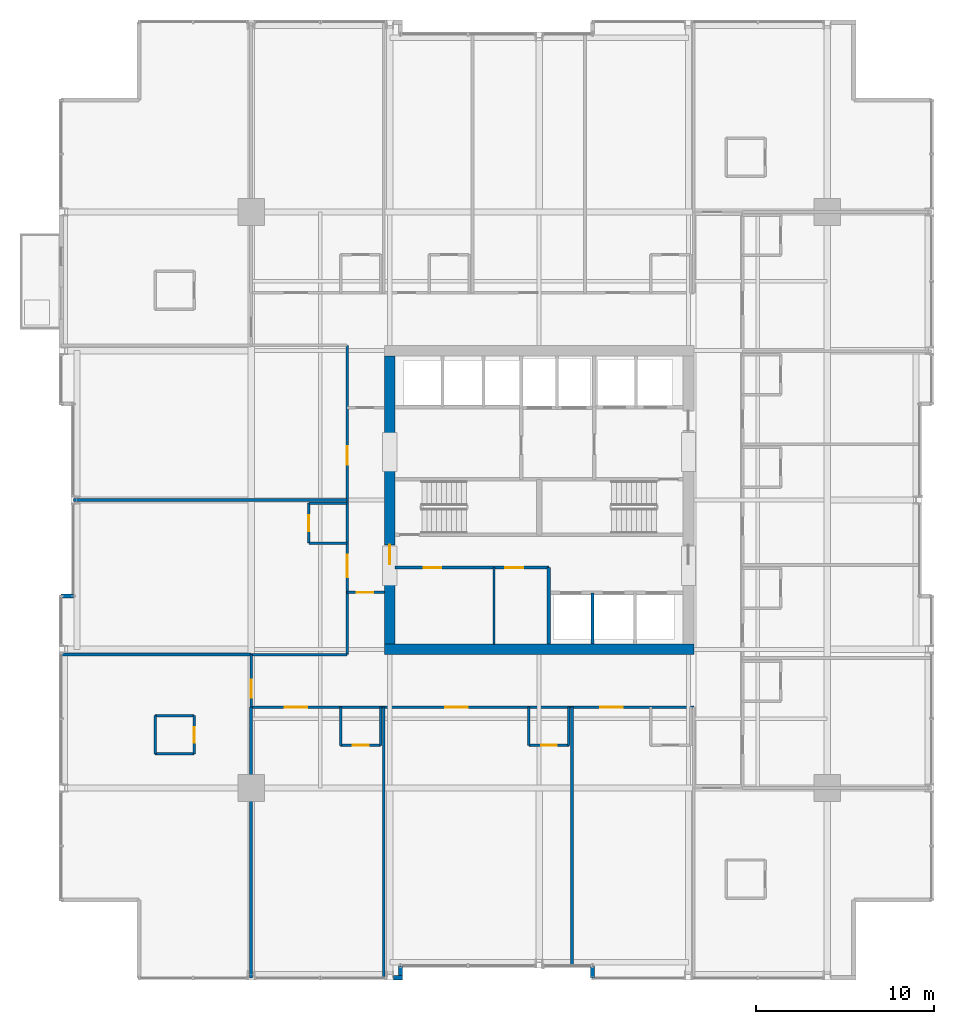
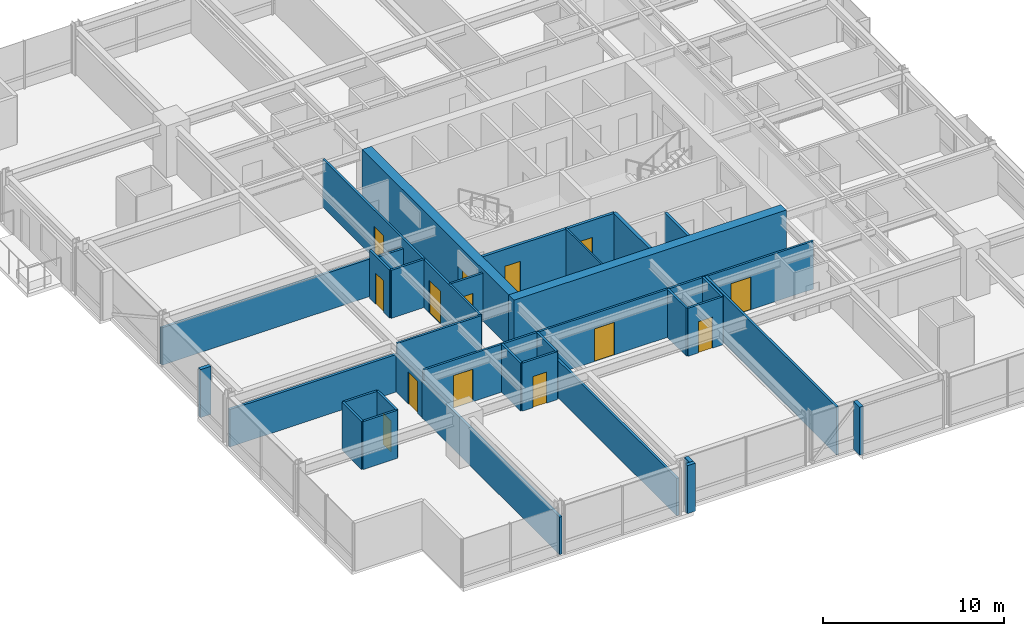
# One storey, part 28 of 35: 33 walls, 14 doors, 14 openings.
"""IFC4 building model written with IfcOpenShell, lengths in metres."""

import ifcopenshell
import ifcopenshell.guid

model = None  # the IFC model being written
_history = None  # IfcOwnerHistory: only IFC2X3 demands one
_inside = {}  # id of a spatial element -> (the spatial element, [elements in it])
_under = {}  # id of a project, library or spatial element -> (it, [spatial elements below it])
_declared = {}  # id of a project -> (the project, [libraries it declares])
_typed = {}  # id of a type object -> (the type object, [elements of that type])
_made_of = {}  # id of a material, layer set ... -> (it, [elements and type objects made of it])


def new_model(schema):
    """Start an empty IFC model of exactly this schema.

    Asked for "IFC4X3", IfcOpenShell would pick the latest addendum, in which some entities
    have other attributes; the version numbers below select the first issue.
    IFC2X3 requires an IfcOwnerHistory on every rooted entity: one is made here for all.
    """
    global model, _history
    if schema == "IFC4X3":
        model = ifcopenshell.file(schema_version=(4, 3, 0, 0))
    else:
        model = ifcopenshell.file(schema=schema)
    _inside.clear()
    _under.clear()
    _declared.clear()
    _typed.clear()
    _made_of.clear()
    _history = None
    if model.schema == "IFC2X3":
        org = make("IfcOrganization", Name="unknown")
        user = make(
            "IfcPersonAndOrganization",
            ThePerson=make("IfcPerson", FamilyName="unknown"),
            TheOrganization=org,
        )
        app = make(
            "IfcApplication",
            ApplicationDeveloper=org,
            Version="unknown",
            ApplicationFullName="unknown",
            ApplicationIdentifier="unknown",
        )
        _history = make(
            "IfcOwnerHistory",
            OwningUser=user,
            OwningApplication=app,
            ChangeAction="ADDED",
            CreationDate=0,
        )
    return model


def make(cls, **values):
    """One entity of the class cls with the attributes given. An attribute that is None is left unset."""
    return model.create_entity(
        cls, **{name: value for name, value in values.items() if value is not None}
    )


def rooted(cls, **values):
    """An entity with a GlobalId (a new one), such as an element, a storey or a relation."""
    return make(cls, GlobalId=ifcopenshell.guid.new(), OwnerHistory=_history, **values)


def si_unit(unit_type, name, prefix=None):
    """IfcSIUnit, for example si_unit("LENGTHUNIT", "METRE", prefix="MILLI")."""
    return make("IfcSIUnit", UnitType=unit_type, Prefix=prefix, Name=name)


def assignment(units):
    """IfcUnitAssignment: the units of a project."""
    return None if units is None else make("IfcUnitAssignment", Units=units)


def point(xyz):
    """IfcCartesianPoint."""
    return None if xyz is None else make("IfcCartesianPoint", Coordinates=xyz)


def direction(xyz):
    """IfcDirection."""
    return None if xyz is None else make("IfcDirection", DirectionRatios=xyz)


def frame(location, z_axis=None, x_axis=None):
    """IfcAxis2Placement3D, a coordinate frame: its origin and axes. An axis left out is left unset."""
    return make(
        "IfcAxis2Placement3D",
        Location=point(location),
        Axis=direction(z_axis),
        RefDirection=direction(x_axis),
    )


def frame_2d(location, x_axis=None):
    """IfcAxis2Placement2D, a coordinate frame in the plane: its origin and x axis."""
    return make(
        "IfcAxis2Placement2D", Location=point(location), RefDirection=direction(x_axis)
    )


def origin():
    """The frame at (0, 0, 0) with its axes left unset."""
    return frame((0.0, 0.0, 0.0))


def place(relative_to, where):
    """IfcLocalPlacement: puts the frame where relative to a parent placement (None: the world)."""
    return make(
        "IfcLocalPlacement", PlacementRelTo=relative_to, RelativePlacement=where
    )


def context(
    kind, dimensions, precision=None, world=None, true_north=None, identifier=None
):
    """IfcGeometricRepresentationContext, for example the 3D "Model" context."""
    return make(
        "IfcGeometricRepresentationContext",
        ContextIdentifier=identifier,
        ContextType=kind,
        CoordinateSpaceDimension=dimensions,
        Precision=precision,
        WorldCoordinateSystem=world,
        TrueNorth=true_north,
    )


def subcontext(parent, identifier, kind, view, scale=None):
    """IfcGeometricRepresentationSubContext, for example "Body" below "Model"."""
    return make(
        "IfcGeometricRepresentationSubContext",
        ContextIdentifier=identifier,
        ContextType=kind,
        ParentContext=parent,
        TargetScale=scale,
        TargetView=view,
    )


def project(units=None, contexts=None):
    """IfcProject with its units and contexts."""
    return rooted(
        "IfcProject",
        Name="project",
        RepresentationContexts=contexts,
        UnitsInContext=assignment(units),
    )


def spatial(cls, under=None, at=None, **own):
    """A site, building, storey or space (cls), placed at a placement, below another one or the project."""
    s = rooted(cls, ObjectPlacement=at, **own)
    if under is not None:
        _under.setdefault(under.id(), (under, []))[1].append(s)
    return s


def profile(cls, at=None, kind="AREA", **sizes):
    """A parametric profile (cls). Its sizes go by their IFC names, for example OverallWidth=200.0."""
    return make(cls, ProfileType=kind, Position=at, **sizes)


def rectangle(**sizes):
    """IfcRectangleProfileDef."""
    return profile("IfcRectangleProfileDef", **sizes)


def extrude(swept, where, along, depth):
    """IfcExtrudedAreaSolid: the profile swept, set in the frame where, extruded along a direction by depth."""
    return make(
        "IfcExtrudedAreaSolid",
        SweptArea=swept,
        Position=where,
        ExtrudedDirection=direction(along),
        Depth=depth,
    )


def shape(context_of_items, identifier, shape_type, items):
    """IfcShapeRepresentation: the items that make up one representation, for example the "Body"."""
    return make(
        "IfcShapeRepresentation",
        ContextOfItems=context_of_items,
        RepresentationIdentifier=identifier,
        RepresentationType=shape_type,
        Items=items,
    )


def material(Name=None, Category=None):
    """IfcMaterial."""
    return make("IfcMaterial", Name=Name, Category=Category)


def layer(
    of_material, thickness, ventilated=None, Name=None, Category=None, Priority=None
):
    """IfcMaterialLayer: one layer of a wall or slab, of a material (None: an air gap)."""
    return make(
        "IfcMaterialLayer",
        Material=of_material,
        LayerThickness=thickness,
        IsVentilated=ventilated,
        Name=Name,
        Category=Category,
        Priority=Priority,
    )


def layer_set(layers, Name=None):
    """IfcMaterialLayerSet."""
    return make("IfcMaterialLayerSet", MaterialLayers=layers, LayerSetName=Name)


def made_of(thing, what):
    """Note that an element or type object is made of a material, layer set ...; save() writes the relation."""
    if what is not None:
        _made_of.setdefault(what.id(), (what, []))[1].append(thing)
    return thing


def type_object(cls, material=None, **own):
    """A type object (cls), such as IfcWallType, which elements share."""
    return made_of(rooted(cls, **own), material)


def element(
    cls,
    number,
    at=None,
    inside=None,
    cuts=None,
    type_object=None,
    material=None,
    context=None,
    identifier="Body",
    shape_type=None,
    held_by="IfcProductDefinitionShape",
    body=None,
    shapes=None,
    **own,
):
    """One element of the class cls, such as IfcWall. Its Tag is "e" and its number.

    at: its placement. inside: the storey or other place that contains it. cuts: it is an
    opening in that element (IfcRelVoidsElement). A single representation is given by context,
    identifier, shape_type and body (its items); several are given by shapes. held_by: the class
    of the entity that holds the representations. save() writes the other relations.
    """
    e = rooted(cls, Tag="e%d" % number, ObjectPlacement=at, **own)
    if body is not None:
        shapes = [shape(context, identifier, shape_type, body)]
    if shapes is not None:
        e.Representation = make(held_by, Representations=shapes)
    if inside is not None:
        _inside.setdefault(inside.id(), (inside, []))[1].append(e)
    if cuts is not None:
        rooted(
            "IfcRelVoidsElement", RelatingBuildingElement=cuts, RelatedOpeningElement=e
        )
    if type_object is not None:
        _typed.setdefault(type_object.id(), (type_object, []))[1].append(e)
    return made_of(e, material)


def fill(opening, filler):
    """IfcRelFillsElement: the door or window that sits in an opening."""
    return rooted(
        "IfcRelFillsElement",
        RelatingOpeningElement=opening,
        RelatedBuildingElement=filler,
    )


def aggregate(whole, parts):
    """IfcRelAggregates: a whole, such as a stair, and the parts it consists of."""
    return rooted("IfcRelAggregates", RelatingObject=whole, RelatedObjects=parts)


def save(model, path):
    """Write the relations noted so far, then the file.

    IfcRelAggregates (storeys below a building ...), IfcRelContainedInSpatialStructure (elements
    in a storey), IfcRelDefinesByType, IfcRelAssociatesMaterial and IfcRelDeclares: one each for
    every whole, place, type object, material and project.
    """
    for whole, parts in _under.values():
        aggregate(whole, parts)
    for where, things in _inside.values():
        rooted(
            "IfcRelContainedInSpatialStructure",
            RelatedElements=things,
            RelatingStructure=where,
        )
    for kind, things in _typed.values():
        rooted("IfcRelDefinesByType", RelatedObjects=things, RelatingType=kind)
    for what, things in _made_of.values():
        rooted("IfcRelAssociatesMaterial", RelatedObjects=things, RelatingMaterial=what)
    for by, libraries in _declared.values():
        rooted("IfcRelDeclares", RelatingContext=by, RelatedDefinitions=libraries)
    model.write(path)


model = new_model("IFC4")

# Units and contexts
model_context = context("Model", 3, precision=1e-05, world=origin(), true_north=direction((0.0, 1.0)))
body_context = subcontext(model_context, "Body", "Model", "MODEL_VIEW")
ifc_project = project(units=[si_unit("LENGTHUNIT", "METRE"), si_unit("AREAUNIT", "SQUARE_METRE"), si_unit("VOLUMEUNIT", "CUBIC_METRE"), si_unit("PLANEANGLEUNIT", "RADIAN"), si_unit("MASSUNIT", "GRAM", prefix="KILO")], contexts=[model_context])

# Site, building, storey
site_placement = place(None, origin())
site = spatial("IfcSite", under=ifc_project, at=site_placement, CompositionType="ELEMENT")
building_placement = place(site_placement, origin())
building = spatial("IfcBuilding", under=site, at=building_placement, Name="Drelvath Grand Hotel", CompositionType="ELEMENT")
storey_placement = place(building_placement, frame((0.0, 0.0, 123.300048828125)))
storey = spatial("IfcBuildingStorey", under=building, at=storey_placement, Name="L31", CompositionType="ELEMENT", Elevation=123.300048828125)

# Walls
ifc_material_1 = material(Name="Gypsum Partition Board")
ifc_layer_1 = layer(ifc_material_1, 0.10009765625)
ifc_layer_set_1 = layer_set([ifc_layer_1], Name="Gypsum Partition Board")
wall_type_1 = type_object("IfcWallType", Name="Core Closet Partition 100", PredefinedType="PARTITIONING", material=ifc_layer_set_1)
wall_1_placement = place(storey_placement, frame((-2.5400390625, 18.89990234375, 0.0), z_axis=(0.0, 0.0, 1.0), x_axis=(0.0, 1.0, 0.0)))
element("IfcWall", 1, at=wall_1_placement, inside=storey, type_object=wall_type_1, Name="L31 Reclaimed Core Split Wall", PredefinedType="PARTITIONING", context=body_context, shape_type="SweptSolid", body=[
    extrude(rectangle(XDim=4.300048828125, YDim=0.10009765625, at=frame_2d((2.14990234375, 0.0))), origin(), (0.0, 0.0, 1.0), 3.239990234375),
])
ifc_material_2 = material(Name="Concrete C40/50", Category="concrete")
ifc_layer_2 = layer(ifc_material_2, 0.199951171875)
ifc_layer_set_2 = layer_set([ifc_layer_2], Name="Concrete C40/50")
wall_type_2 = type_object("IfcWallType", Name="Core Hoistway Fire Wall 200", PredefinedType="SOLIDWALL", material=ifc_layer_set_2)
wall_2_placement = place(storey_placement, frame((0.550048828125, 18.89990234375, 0.0), z_axis=(0.0, 0.0, 1.0), x_axis=(0.0, 1.0, 0.0)))
element("IfcWall", 2, at=wall_2_placement, inside=storey, type_object=wall_type_2, Name="L31 Bank 2 West Wall", PredefinedType="SOLIDWALL", context=body_context, shape_type="SweptSolid", body=[
    extrude(rectangle(XDim=4.300048828125, YDim=0.199951171875, at=frame_2d((2.14990234375, 0.0))), origin(), (0.0, 0.0, 1.0), 3.239990234375),
])
ifc_material_3 = material(Name="Gypsum Fireboard Partition")
ifc_layer_3 = layer(ifc_material_3, 0.1650390625)
ifc_layer_set_3 = layer_set([ifc_layer_3], Name="Gypsum Fireboard Partition")
wall_type_3 = type_object("IfcWallType", Name="Core Shaft Partition 165", PredefinedType="PARTITIONING", material=ifc_layer_set_3)
wall_3_placement = place(storey_placement, frame((3.0, 18.89990234375, 0.0), z_axis=(0.0, 0.0, 1.0), x_axis=(0.0, 1.0, 0.0)))
element("IfcWall", 3, at=wall_3_placement, inside=storey, type_object=wall_type_3, Name="L31 Lift PE-4/5 Divider", PredefinedType="PARTITIONING", context=body_context, shape_type="SweptSolid", body=[
    extrude(rectangle(XDim=2.880126953125, YDim=0.1650390625, at=frame_2d((1.43994140625, 0.0))), origin(), (0.0, 0.0, 1.0), 3.239990234375),
])

# Wall, opening, door
ifc_layer_4 = layer(ifc_material_3, 0.135009765625)
ifc_layer_set_4 = layer_set([ifc_layer_4], Name="Gypsum Fireboard Partition")
wall_type_4 = type_object("IfcWallType", Name="Corridor Fire Barrier Wall 135", PredefinedType="PARTITIONING", material=ifc_layer_set_4)
wall_4_placement = place(storey_placement, frame((-10.800048828125, 21.800048828125, 0.0), z_axis=(0.0, 0.0, 1.0), x_axis=(1.0, 0.0, 0.0)))
wall_4 = element("IfcWall", 4, at=wall_4_placement, inside=storey, type_object=wall_type_4, Name="L31 West Foyer South Wall", PredefinedType="PARTITIONING", context=body_context, shape_type="SweptSolid", body=[
    extrude(rectangle(XDim=2.10009765625, YDim=0.135009765625, at=frame_2d((1.050048828125, 0.0))), origin(), (0.0, 0.0, 1.0), 3.239990234375),
])
opening_1_placement = place(wall_4_placement, frame((0.550048828125, 0.0, 0.0)))
opening_1 = element("IfcOpeningElement", 5, at=opening_1_placement, cuts=wall_4, Name="Opening D-T2G4-017", PredefinedType="OPENING", context=body_context, shape_type="SweptSolid", body=[
    extrude(rectangle(XDim=0.919921875, YDim=2.10009765625, at=frame_2d((0.4599609375, 1.050048828125))), frame((0.0, 0.077392578125, 0.0), z_axis=(0.0, -1.0, 0.0), x_axis=(1.0, 0.0, 0.0)), (0.0, 0.0, 1.0), 0.155029296875),
])
ifc_material_4 = material(Name="Painted Steel S275", Category="steel")
door_type_1 = type_object("IfcDoorType", Name="Staff Utility Door 920x2100", OperationType="NOTDEFINED", PredefinedType="DOOR", material=ifc_material_4)
door_1_placement = place(opening_1_placement, origin())
door_1 = element("IfcDoor", 6, at=door_1_placement, inside=storey, type_object=door_type_1, Name="L31 West Linen Closet Door", OperationType="SINGLE_SWING_RIGHT", OverallHeight=2.10009765625, OverallWidth=0.919921875, PredefinedType="DOOR", context=body_context, shape_type="SweptSolid", body=[
    extrude(rectangle(XDim=0.919921875, YDim=2.10009765625, at=frame_2d((0.4599609375, 1.050048828125))), frame((0.0, 0.02490234375, 0.0), z_axis=(0.0, -1.0, 0.0), x_axis=(1.0, 0.0, 0.0)), (0.0, 0.0, 1.0), 0.050048828125),
])
fill(opening_1, door_1)

# Wall
wall_5_placement = place(storey_placement, frame((-16.199951171875, 18.300048828125, 0.0), z_axis=(0.0, 0.0, 1.0), x_axis=(1.0, 0.0, 0.0)))
element("IfcWall", 7, at=wall_5_placement, inside=storey, type_object=wall_type_4, Name="L31 SW Stub North Wall", PredefinedType="PARTITIONING", context=body_context, shape_type="SweptSolid", body=[
    extrude(rectangle(XDim=5.39990234375, YDim=0.135009765625, at=frame_2d((2.699951171875, 0.0))), origin(), (0.0, 0.0, 1.0), 3.239990234375),
])

# Wall, openings, doors
wall_6_placement = place(storey_placement, frame((-16.199951171875, 15.35009765625, 0.0), z_axis=(0.0, 0.0, 1.0), x_axis=(1.0, 0.0, 0.0)))
wall_6 = element("IfcWall", 8, at=wall_6_placement, inside=storey, type_object=wall_type_4, Name="L31 South Stub Corridor Wall", PredefinedType="PARTITIONING", context=body_context, shape_type="SweptSolid", body=[
    extrude(rectangle(XDim=24.89990234375, YDim=0.135009765625, at=frame_2d((12.449951171875, 0.0))), origin(), (0.0, 0.0, 1.0), 3.239990234375),
])
opening_2_placement = place(wall_6_placement, frame((1.889892578125, 0.0, 0.0)))
opening_2 = element("IfcOpeningElement", 9, at=opening_2_placement, cuts=wall_6, Name="Opening D-T2G4-028", PredefinedType="OPENING", context=body_context, shape_type="SweptSolid", body=[
    extrude(rectangle(XDim=1.260009765625, YDim=2.199951171875, at=frame_2d((0.6298828125, 1.10009765625))), frame((0.0, 0.077392578125, 0.0), z_axis=(0.0, -1.0, 0.0), x_axis=(1.0, 0.0, 0.0)), (0.0, 0.0, 1.0), 0.155029296875),
])
opening_3_placement = place(wall_6_placement, frame((10.916259765625, 0.0, 0.0)))
opening_3 = element("IfcOpeningElement", 10, at=opening_3_placement, cuts=wall_6, Name="Opening D-T2G4-030", PredefinedType="OPENING", context=body_context, shape_type="SweptSolid", body=[
    extrude(rectangle(XDim=1.260009765625, YDim=2.199951171875, at=frame_2d((0.6298828125, 1.10009765625))), frame((0.0, 0.077392578125, 0.0), z_axis=(0.0, -1.0, 0.0), x_axis=(1.0, 0.0, 0.0)), (0.0, 0.0, 1.0), 0.155029296875),
])
opening_4_placement = place(wall_6_placement, frame((19.631103515625, 0.0, 0.0)))
opening_4 = element("IfcOpeningElement", 11, at=opening_4_placement, cuts=wall_6, Name="Opening D-T2G4-032", PredefinedType="OPENING", context=body_context, shape_type="SweptSolid", body=[
    extrude(rectangle(XDim=1.260009765625, YDim=2.199951171875, at=frame_2d((0.6298828125, 1.10009765625))), frame((0.0, 0.077392578125, 0.0), z_axis=(0.0, -1.0, 0.0), x_axis=(1.0, 0.0, 0.0)), (0.0, 0.0, 1.0), 0.155029296875),
])
ifc_material_5 = material(Name="Hardwood Walnut Timber", Category="wood")
door_type_2 = type_object("IfcDoorType", Name="Suite Entrance Fire Door 1260x2200", OperationType="NOTDEFINED", PredefinedType="DOOR", material=ifc_material_5)
door_2_placement = place(opening_2_placement, origin())
door_2 = element("IfcDoor", 12, at=door_2_placement, inside=storey, type_object=door_type_2, Name="L31 Corner Suite Entry Door", OperationType="SINGLE_SWING_LEFT", OverallHeight=2.199951171875, OverallWidth=1.260009765625, PredefinedType="DOOR", context=body_context, shape_type="SweptSolid", body=[
    extrude(rectangle(XDim=1.260009765625, YDim=2.199951171875, at=frame_2d((0.6298828125, 1.10009765625))), frame((0.0, 0.02490234375, 0.0), z_axis=(0.0, -1.0, 0.0), x_axis=(1.0, 0.0, 0.0)), (0.0, 0.0, 1.0), 0.050048828125),
])
fill(opening_2, door_2)
door_3_placement = place(opening_3_placement, origin())
door_3 = element("IfcDoor", 13, at=door_3_placement, inside=storey, type_object=door_type_2, Name="L31 Corner Suite Entry Door", OperationType="SINGLE_SWING_LEFT", OverallHeight=2.199951171875, OverallWidth=1.260009765625, PredefinedType="DOOR", context=body_context, shape_type="SweptSolid", body=[
    extrude(rectangle(XDim=1.260009765625, YDim=2.199951171875, at=frame_2d((0.6298828125, 1.10009765625))), frame((0.0, 0.02490234375, 0.0), z_axis=(0.0, -1.0, 0.0), x_axis=(1.0, 0.0, 0.0)), (0.0, 0.0, 1.0), 0.050048828125),
])
fill(opening_3, door_3)
door_4_placement = place(opening_4_placement, origin())
door_4 = element("IfcDoor", 14, at=door_4_placement, inside=storey, type_object=door_type_2, Name="L31 Corner Suite Entry Door", OperationType="SINGLE_SWING_LEFT", OverallHeight=2.199951171875, OverallWidth=1.260009765625, PredefinedType="DOOR", context=body_context, shape_type="SweptSolid", body=[
    extrude(rectangle(XDim=1.260009765625, YDim=2.199951171875, at=frame_2d((0.6298828125, 1.10009765625))), frame((0.0, 0.02490234375, 0.0), z_axis=(0.0, -1.0, 0.0), x_axis=(1.0, 0.0, 0.0)), (0.0, 0.0, 1.0), 0.050048828125),
])
fill(opening_4, door_4)

wall_7_placement = place(storey_placement, frame((-10.800048828125, 18.300048828125, 0.0), z_axis=(0.0, 0.0, 1.0), x_axis=(0.0, 1.0, 0.0)))
wall_7 = element("IfcWall", 15, at=wall_7_placement, inside=storey, type_object=wall_type_4, Name="L31 West Spine Wall", PredefinedType="PARTITIONING", context=body_context, shape_type="SweptSolid", body=[
    extrude(rectangle(XDim=17.39990234375, YDim=0.135009765625, at=frame_2d((8.699951171875, 0.0))), origin(), (0.0, 0.0, 1.0), 3.239990234375),
])
opening_5_placement = place(wall_7_placement, frame((4.35498046875, 0.0, 0.0)))
opening_5 = element("IfcOpeningElement", 16, at=opening_5_placement, cuts=wall_7, Name="Opening D-T2G4-051", PredefinedType="OPENING", context=body_context, shape_type="SweptSolid", body=[
    extrude(rectangle(XDim=1.260009765625, YDim=2.199951171875, at=frame_2d((0.6298828125, 1.10009765625))), frame((0.0, 0.077392578125, 0.0), z_axis=(0.0, -1.0, 0.0), x_axis=(1.0, 0.0, 0.0)), (0.0, 0.0, 1.0), 0.155029296875),
])
opening_6_placement = place(wall_7_placement, frame((10.68994140625, 0.0, 0.0)))
opening_6 = element("IfcOpeningElement", 17, at=opening_6_placement, cuts=wall_7, Name="Opening D-T2G4-052", PredefinedType="OPENING", context=body_context, shape_type="SweptSolid", body=[
    extrude(rectangle(XDim=1.02001953125, YDim=2.14990234375, at=frame_2d((0.510009765625, 1.074951171875))), frame((0.0, 0.077392578125, 0.0), z_axis=(0.0, -1.0, 0.0), x_axis=(1.0, 0.0, 0.0)), (0.0, 0.0, 1.0), 0.155029296875),
])
door_type_3 = type_object("IfcDoorType", Name="Amenity Meeting Fire Door 1020x2150", OperationType="NOTDEFINED", PredefinedType="DOOR", material=ifc_material_5)
door_5_placement = place(opening_6_placement, origin())
door_5 = element("IfcDoor", 18, at=door_5_placement, inside=storey, type_object=door_type_3, Name="L31 Quiet Study Room Entry Door", OperationType="SINGLE_SWING_LEFT", OverallHeight=2.14990234375, OverallWidth=1.02001953125, PredefinedType="DOOR", context=body_context, shape_type="SweptSolid", body=[
    extrude(rectangle(XDim=1.02001953125, YDim=2.14990234375, at=frame_2d((0.510009765625, 1.074951171875))), frame((0.0, 0.02490234375, 0.0), z_axis=(0.0, -1.0, 0.0), x_axis=(1.0, 0.0, 0.0)), (0.0, 0.0, 1.0), 0.050048828125),
])
fill(opening_6, door_5)
door_6_placement = place(opening_5_placement, origin())
door_6 = element("IfcDoor", 19, at=door_6_placement, inside=storey, type_object=door_type_2, Name="L31 Corner Suite Entry Door", OperationType="SINGLE_SWING_RIGHT", OverallHeight=2.199951171875, OverallWidth=1.260009765625, PredefinedType="DOOR", context=body_context, shape_type="SweptSolid", body=[
    extrude(rectangle(XDim=1.260009765625, YDim=2.199951171875, at=frame_2d((0.6298828125, 1.10009765625))), frame((0.0, 0.02490234375, 0.0), z_axis=(0.0, -1.0, 0.0), x_axis=(1.0, 0.0, 0.0)), (0.0, 0.0, 1.0), 0.050048828125),
])
fill(opening_5, door_6)

# Wall, opening, door
wall_8_placement = place(storey_placement, frame((-16.199951171875, 15.35009765625, 0.0), z_axis=(0.0, 0.0, 1.0), x_axis=(0.0, 1.0, 0.0)))
wall_8 = element("IfcWall", 20, at=wall_8_placement, inside=storey, type_object=wall_type_4, Name="L31 South Stub West End", PredefinedType="PARTITIONING", context=body_context, shape_type="SweptSolid", body=[
    extrude(rectangle(XDim=2.949951171875, YDim=0.135009765625, at=frame_2d((1.47509765625, 0.0))), origin(), (0.0, 0.0, 1.0), 2.529541015625),
])
opening_7_placement = place(wall_8_placement, frame((0.52001953125, 0.0, 0.0)))
opening_7 = element("IfcOpeningElement", 21, at=opening_7_placement, cuts=wall_8, Name="Opening D-T2G4-020", PredefinedType="OPENING", context=body_context, shape_type="SweptSolid", body=[
    extrude(rectangle(XDim=1.02001953125, YDim=2.14990234375, at=frame_2d((0.510009765625, 1.074951171875))), frame((0.0, 0.077392578125, 0.0), z_axis=(0.0, -1.0, 0.0), x_axis=(1.0, 0.0, 0.0)), (0.0, 0.0, 1.0), 0.155029296875),
])
door_7_placement = place(opening_7_placement, origin())
door_7 = element("IfcDoor", 22, at=door_7_placement, inside=storey, type_object=door_type_3, Name="L31 Corner Suite Entry Door", OperationType="SINGLE_SWING_LEFT", OverallHeight=2.14990234375, OverallWidth=1.02001953125, PredefinedType="DOOR", context=body_context, shape_type="SweptSolid", body=[
    extrude(rectangle(XDim=1.02001953125, YDim=2.14990234375, at=frame_2d((0.510009765625, 1.074951171875))), frame((0.0, 0.02490234375, 0.0), z_axis=(0.0, -1.0, 0.0), x_axis=(1.0, 0.0, 0.0)), (0.0, 0.0, 1.0), 0.050048828125),
])
fill(opening_7, door_7)

# Walls
ifc_material_6 = material(Name="Moisture-Resistant Gypsum Board")
ifc_layer_5 = layer(ifc_material_6, 0.139892578125)
ifc_layer_set_5 = layer_set([ifc_layer_5], Name="Moisture-Resistant Gypsum Board")
wall_type_5 = type_object("IfcWallType", Name="En-Suite Plumbing Wall 140", PredefinedType="PLUMBINGWALL", material=ifc_layer_set_5)
for number, where, z_axis, x_axis, name in (
    (23, (-21.60009765625, 12.719970703125, 0.0), (0.0, 0.0, 1.0), (1.0, 0.0, 0.0), "L31 Corner En-Suite South"),
    (24, (-21.60009765625, 14.8701171875, 0.0), (0.0, 0.0, 1.0), (1.0, 0.0, 0.0), "L31 Corner En-Suite North"),
):
    element("IfcWall", number, at=place(storey_placement, frame(where, z_axis=z_axis, x_axis=x_axis)), inside=storey, type_object=wall_type_5, Name=name, PredefinedType="PLUMBINGWALL", context=body_context, shape_type="SweptSolid", body=[
        extrude(rectangle(XDim=2.2001953125, YDim=0.139892578125, at=frame_2d((1.10009765625, 0.0))), origin(), (0.0, 0.0, 1.0), 3.239990234375),
    ])
wall_9_placement = place(storey_placement, frame((-21.60009765625, 12.719970703125, 0.0), z_axis=(0.0, 0.0, 1.0), x_axis=(0.0, 1.0, 0.0)))
element("IfcWall", 25, at=wall_9_placement, inside=storey, type_object=wall_type_5, Name="L31 Corner En-Suite West", PredefinedType="PLUMBINGWALL", context=body_context, shape_type="SweptSolid", body=[
    extrude(rectangle(XDim=2.150146484375, YDim=0.139892578125, at=frame_2d((1.0751953125, 0.0))), origin(), (0.0, 0.0, 1.0), 3.239990234375),
])

# Wall, opening, door
wall_10_placement = place(storey_placement, frame((-19.39990234375, 12.719970703125, 0.0), z_axis=(0.0, 0.0, 1.0), x_axis=(0.0, 1.0, 0.0)))
wall_10 = element("IfcWall", 26, at=wall_10_placement, inside=storey, type_object=wall_type_5, Name="L31 Corner En-Suite East", PredefinedType="PLUMBINGWALL", context=body_context, shape_type="SweptSolid", body=[
    extrude(rectangle(XDim=2.150146484375, YDim=0.139892578125, at=frame_2d((1.0751953125, 0.0))), origin(), (0.0, 0.0, 1.0), 3.239990234375),
])
opening_8_placement = place(wall_10_placement, frame((0.6201171875, 0.0, 0.0)))
opening_8 = element("IfcOpeningElement", 27, at=opening_8_placement, cuts=wall_10, Name="Opening D-T2G4-019", PredefinedType="OPENING", context=body_context, shape_type="SweptSolid", body=[
    extrude(rectangle(XDim=0.8798828125, YDim=2.10009765625, at=frame_2d((0.43994140625, 1.050048828125))), frame((0.0, 0.079833984375, 0.0), z_axis=(0.0, -1.0, 0.0), x_axis=(1.0, 0.0, 0.0)), (0.0, 0.0, 1.0), 0.159912109375),
])
door_type_4 = type_object("IfcDoorType", Name="En-Suite Bathroom Door 880x2100", OperationType="NOTDEFINED", PredefinedType="DOOR", material=ifc_material_5)
door_8_placement = place(opening_8_placement, origin())
door_8 = element("IfcDoor", 28, at=door_8_placement, inside=storey, type_object=door_type_4, Name="L31 Corner En-Suite Door", OperationType="SINGLE_SWING_RIGHT", OverallHeight=2.10009765625, OverallWidth=0.8798828125, PredefinedType="DOOR", context=body_context, shape_type="SweptSolid", body=[
    extrude(rectangle(XDim=0.8798828125, YDim=2.10009765625, at=frame_2d((0.43994140625, 1.050048828125))), frame((0.0, 0.02490234375, 0.0), z_axis=(0.0, -1.0, 0.0), x_axis=(1.0, 0.0, 0.0)), (0.0, 0.0, 1.0), 0.050048828125),
])
fill(opening_8, door_8)

# Walls
for number, where, z_axis, x_axis, name in (
    (29, (-11.159912109375, 15.35009765625, 0.0), (0.0, 0.0, 1.0), (0.0, -1.0, 0.0), "L31 En-Suite Left Wall"),
    (30, (-8.909912109375, 15.35009765625, 0.0), (0.0, 0.0, 1.0), (0.0, -1.0, 0.0), "L31 En-Suite Right Wall"),
):
    element("IfcWall", number, at=place(storey_placement, frame(where, z_axis=z_axis, x_axis=x_axis)), inside=storey, type_object=wall_type_5, Name=name, PredefinedType="PLUMBINGWALL", context=body_context, shape_type="SweptSolid", body=[
        extrude(rectangle(XDim=2.150146484375, YDim=0.139892578125, at=frame_2d((1.0751953125, 0.0))), origin(), (0.0, 0.0, 1.0), 3.239990234375),
    ])

# Wall, opening, door
wall_11_placement = place(storey_placement, frame((-11.159912109375, 13.199951171875, 0.0), z_axis=(0.0, 0.0, 1.0), x_axis=(1.0, 0.0, 0.0)))
wall_11 = element("IfcWall", 31, at=wall_11_placement, inside=storey, type_object=wall_type_5, Name="L31 En-Suite Front Wall", PredefinedType="PLUMBINGWALL", context=body_context, shape_type="SweptSolid", body=[
    extrude(rectangle(XDim=2.25, YDim=0.139892578125, at=frame_2d((1.125, 0.0))), origin(), (0.0, 0.0, 1.0), 3.239990234375),
])
opening_9_placement = place(wall_11_placement, frame((0.68505859375, 0.0, 0.0)))
opening_9 = element("IfcOpeningElement", 32, at=opening_9_placement, cuts=wall_11, Name="Opening D-T2G4-027", PredefinedType="OPENING", context=body_context, shape_type="SweptSolid", body=[
    extrude(rectangle(XDim=0.8798828125, YDim=2.10009765625, at=frame_2d((0.43994140625, 1.050048828125))), frame((0.0, 0.079833984375, 0.0), z_axis=(0.0, -1.0, 0.0), x_axis=(1.0, 0.0, 0.0)), (0.0, 0.0, 1.0), 0.159912109375),
])
door_9_placement = place(opening_9_placement, origin())
door_9 = element("IfcDoor", 33, at=door_9_placement, inside=storey, type_object=door_type_4, Name="L31 En-Suite Bathroom Door", OperationType="SINGLE_SWING_RIGHT", OverallHeight=2.10009765625, OverallWidth=0.8798828125, PredefinedType="DOOR", context=body_context, shape_type="SweptSolid", body=[
    extrude(rectangle(XDim=0.8798828125, YDim=2.10009765625, at=frame_2d((0.43994140625, 1.050048828125))), frame((0.0, 0.02490234375, 0.0), z_axis=(0.0, -1.0, 0.0), x_axis=(1.0, 0.0, 0.0)), (0.0, 0.0, 1.0), 0.050048828125),
])
fill(opening_9, door_9)

# Walls
for number, where, z_axis, x_axis, name in (
    (34, (-0.577392578125, 15.35009765625, 0.0), (0.0, 0.0, 1.0), (0.0, -1.0, 0.0), "L31 En-Suite Left Wall"),
    (35, (1.672607421875, 15.35009765625, 0.0), (0.0, 0.0, 1.0), (0.0, -1.0, 0.0), "L31 En-Suite Right Wall"),
):
    element("IfcWall", number, at=place(storey_placement, frame(where, z_axis=z_axis, x_axis=x_axis)), inside=storey, type_object=wall_type_5, Name=name, PredefinedType="PLUMBINGWALL", context=body_context, shape_type="SweptSolid", body=[
        extrude(rectangle(XDim=2.150146484375, YDim=0.139892578125, at=frame_2d((1.0751953125, 0.0))), origin(), (0.0, 0.0, 1.0), 3.239990234375),
    ])

# Wall, opening, door
wall_12_placement = place(storey_placement, frame((-0.577392578125, 13.199951171875, 0.0), z_axis=(0.0, 0.0, 1.0), x_axis=(1.0, 0.0, 0.0)))
wall_12 = element("IfcWall", 36, at=wall_12_placement, inside=storey, type_object=wall_type_5, Name="L31 En-Suite Front Wall", PredefinedType="PLUMBINGWALL", context=body_context, shape_type="SweptSolid", body=[
    extrude(rectangle(XDim=2.25, YDim=0.139892578125, at=frame_2d((1.125, 0.0))), origin(), (0.0, 0.0, 1.0), 3.239990234375),
])
opening_10_placement = place(wall_12_placement, frame((0.68505859375, 0.0, 0.0)))
opening_10 = element("IfcOpeningElement", 37, at=opening_10_placement, cuts=wall_12, Name="Opening D-T2G4-029", PredefinedType="OPENING", context=body_context, shape_type="SweptSolid", body=[
    extrude(rectangle(XDim=0.8798828125, YDim=2.10009765625, at=frame_2d((0.43994140625, 1.050048828125))), frame((0.0, 0.079833984375, 0.0), z_axis=(0.0, -1.0, 0.0), x_axis=(1.0, 0.0, 0.0)), (0.0, 0.0, 1.0), 0.159912109375),
])
door_10_placement = place(opening_10_placement, origin())
door_10 = element("IfcDoor", 38, at=door_10_placement, inside=storey, type_object=door_type_4, Name="L31 En-Suite Bathroom Door", OperationType="SINGLE_SWING_RIGHT", OverallHeight=2.10009765625, OverallWidth=0.8798828125, PredefinedType="DOOR", context=body_context, shape_type="SweptSolid", body=[
    extrude(rectangle(XDim=0.8798828125, YDim=2.10009765625, at=frame_2d((0.43994140625, 1.050048828125))), frame((0.0, 0.02490234375, 0.0), z_axis=(0.0, -1.0, 0.0), x_axis=(1.0, 0.0, 0.0)), (0.0, 0.0, 1.0), 0.050048828125),
])
fill(opening_10, door_10)

# Walls
wall_13_placement = place(storey_placement, frame((-10.800048828125, 24.570068359375, 0.0), z_axis=(0.0, 0.0, 1.0), x_axis=(-1.0, 0.0, 0.0)))
element("IfcWall", 39, at=wall_13_placement, inside=storey, type_object=wall_type_5, Name="L31 En-Suite Left Wall", PredefinedType="PLUMBINGWALL", context=body_context, shape_type="SweptSolid", body=[
    extrude(rectangle(XDim=2.14990234375, YDim=0.139892578125, at=frame_2d((1.074951171875, 0.0))), origin(), (0.0, 0.0, 1.0), 3.239990234375),
])
wall_14_placement = place(storey_placement, frame((-10.800048828125, 26.820068359375, 0.0), z_axis=(0.0, 0.0, 1.0), x_axis=(-1.0, 0.0, 0.0)))
element("IfcWall", 40, at=wall_14_placement, inside=storey, type_object=wall_type_5, Name="L31 En-Suite Right Wall", PredefinedType="PLUMBINGWALL", context=body_context, shape_type="SweptSolid", body=[
    extrude(rectangle(XDim=2.14990234375, YDim=0.139892578125, at=frame_2d((1.074951171875, 0.0))), origin(), (0.0, 0.0, 1.0), 2.617431640625),
])

# Wall, opening, door
wall_15_placement = place(storey_placement, frame((-12.949951171875, 24.570068359375, 0.0), z_axis=(0.0, 0.0, 1.0), x_axis=(0.0, 1.0, 0.0)))
wall_15 = element("IfcWall", 41, at=wall_15_placement, inside=storey, type_object=wall_type_5, Name="L31 En-Suite Front Wall", PredefinedType="PLUMBINGWALL", context=body_context, shape_type="SweptSolid", body=[
    extrude(rectangle(XDim=2.25, YDim=0.139892578125, at=frame_2d((1.125, 0.0))), origin(), (0.0, 0.0, 1.0), 3.239990234375),
])
opening_11_placement = place(wall_15_placement, frame((0.68505859375, 0.0, 0.0)))
opening_11 = element("IfcOpeningElement", 42, at=opening_11_placement, cuts=wall_15, Name="Opening D-T2G4-050", PredefinedType="OPENING", context=body_context, shape_type="SweptSolid", body=[
    extrude(rectangle(XDim=0.8798828125, YDim=2.10009765625, at=frame_2d((0.43994140625, 1.050048828125))), frame((0.0, 0.079833984375, 0.0), z_axis=(0.0, -1.0, 0.0), x_axis=(1.0, 0.0, 0.0)), (0.0, 0.0, 1.0), 0.159912109375),
])
door_11_placement = place(opening_11_placement, origin())
door_11 = element("IfcDoor", 43, at=door_11_placement, inside=storey, type_object=door_type_4, Name="L31 En-Suite Bathroom Door", OperationType="SINGLE_SWING_LEFT", OverallHeight=2.10009765625, OverallWidth=0.8798828125, PredefinedType="DOOR", context=body_context, shape_type="SweptSolid", body=[
    extrude(rectangle(XDim=0.8798828125, YDim=2.10009765625, at=frame_2d((0.43994140625, 1.050048828125))), frame((0.0, 0.02490234375, 0.0), z_axis=(0.0, -1.0, 0.0), x_axis=(1.0, 0.0, 0.0)), (0.0, 0.0, 1.0), 0.050048828125),
])
fill(opening_11, door_11)

# Wall, openings, doors
ifc_layer_6 = layer(ifc_material_3, 0.179931640625)
ifc_layer_set_6 = layer_set([ifc_layer_6], Name="Gypsum Fireboard Partition")
wall_type_6 = type_object("IfcWallType", Name="FSAE Smoke Lobby Fire Wall 180", PredefinedType="SOLIDWALL", material=ifc_layer_set_6)
wall_16_placement = place(storey_placement, frame((-8.10009765625, 23.199951171875, 0.0), z_axis=(0.0, 0.0, 1.0), x_axis=(1.0, 0.0, 0.0)))
wall_16 = element("IfcWall", 44, at=wall_16_placement, inside=storey, type_object=wall_type_6, Name="L31 Reclaimed Core Room Wall", PredefinedType="SOLIDWALL", context=body_context, shape_type="SweptSolid", body=[
    extrude(rectangle(XDim=8.650146484375, YDim=0.179931640625, at=frame_2d((4.3251953125, 0.0))), origin(), (0.0, 0.0, 1.0), 3.239990234375),
])
opening_12_placement = place(wall_16_placement, frame((1.60009765625, 0.0, 0.0)))
opening_12 = element("IfcOpeningElement", 45, at=opening_12_placement, cuts=wall_16, Name="Opening D-T2G4-015", PredefinedType="OPENING", context=body_context, shape_type="SweptSolid", body=[
    extrude(rectangle(XDim=1.0, YDim=2.10009765625, at=frame_2d((0.5, 1.050048828125))), frame((0.0, 0.099853515625, 0.0), z_axis=(0.0, -1.0, 0.0), x_axis=(1.0, 0.0, 0.0)), (0.0, 0.0, 1.0), 0.199951171875),
])
opening_13_placement = place(wall_16_placement, frame((6.199951171875, 0.0, 0.0)))
opening_13 = element("IfcOpeningElement", 46, at=opening_13_placement, cuts=wall_16, Name="Opening D-T2G4-016", PredefinedType="OPENING", context=body_context, shape_type="SweptSolid", body=[
    extrude(rectangle(XDim=1.0, YDim=2.10009765625, at=frame_2d((0.5, 1.050048828125))), frame((0.0, 0.099853515625, 0.0), z_axis=(0.0, -1.0, 0.0), x_axis=(1.0, 0.0, 0.0)), (0.0, 0.0, 1.0), 0.199951171875),
])
door_type_5 = type_object("IfcDoorType", Name="Core Service Fire Door 1000x2100", OperationType="NOTDEFINED", PredefinedType="DOOR", material=ifc_material_4)
door_12_placement = place(opening_12_placement, origin())
door_12 = element("IfcDoor", 47, at=door_12_placement, inside=storey, type_object=door_type_5, Name="L31 Housekeeping Door", OperationType="SINGLE_SWING_RIGHT", OverallHeight=2.10009765625, OverallWidth=1.0, PredefinedType="DOOR", context=body_context, shape_type="SweptSolid", body=[
    extrude(rectangle(XDim=1.0, YDim=2.10009765625, at=frame_2d((0.5, 1.050048828125))), frame((0.0, 0.02490234375, 0.0), z_axis=(0.0, -1.0, 0.0), x_axis=(1.0, 0.0, 0.0)), (0.0, 0.0, 1.0), 0.050048828125),
])
fill(opening_12, door_12)
door_13_placement = place(opening_13_placement, origin())
door_13 = element("IfcDoor", 48, at=door_13_placement, inside=storey, type_object=door_type_5, Name="L31 Butler Pantry Door", OperationType="SINGLE_SWING_LEFT", OverallHeight=2.10009765625, OverallWidth=1.0, PredefinedType="DOOR", context=body_context, shape_type="SweptSolid", body=[
    extrude(rectangle(XDim=1.0, YDim=2.10009765625, at=frame_2d((0.5, 1.050048828125))), frame((0.0, 0.02490234375, 0.0), z_axis=(0.0, -1.0, 0.0), x_axis=(1.0, 0.0, 0.0)), (0.0, 0.0, 1.0), 0.050048828125),
])
fill(opening_13, door_13)

# Walls
ifc_material_7 = material(Name="Gypsum Acoustic Partition")
ifc_layer_7 = layer(ifc_material_7, 0.14990234375)
ifc_layer_set_7 = layer_set([ifc_layer_7], Name="Gypsum Acoustic Partition")
wall_type_7 = type_object("IfcWallType", Name="Guestroom Demising Wall 150", PredefinedType="PARTITIONING", material=ifc_layer_set_7)
wall_17_placement = place(storey_placement, frame((-8.72998046875, 0.1201171875, 0.0), z_axis=(0.0, 0.0, 1.0), x_axis=(0.0, 1.0, 0.0)))
element("IfcWall", 49, at=wall_17_placement, inside=storey, type_object=wall_type_7, Name="L31 South Demising 1", PredefinedType="PARTITIONING", context=body_context, shape_type="SweptSolid", body=[
    extrude(rectangle(XDim=15.22998046875, YDim=0.14990234375, at=frame_2d((7.614990234375, 0.0))), origin(), (0.0, 0.0, 1.0), 2.529541015625),
])
wall_18_placement = place(storey_placement, frame((1.8525390625, 0.800048828125, 0.0), z_axis=(0.0, 0.0, 1.0), x_axis=(0.0, 1.0, 0.0)))
element("IfcWall", 50, at=wall_18_placement, inside=storey, type_object=wall_type_7, Name="L31 South Demising 2", PredefinedType="PARTITIONING", context=body_context, shape_type="SweptSolid", body=[
    extrude(rectangle(XDim=14.550048828125, YDim=0.14990234375, at=frame_2d((7.27490234375, 0.0))), origin(), (0.0, 0.0, 1.0), 3.239990234375),
])
wall_19_placement = place(storey_placement, frame((-26.199951171875, 27.0, 0.0), z_axis=(0.0, 0.0, 1.0), x_axis=(1.0, 0.0, 0.0)))
element("IfcWall", 51, at=wall_19_placement, inside=storey, type_object=wall_type_7, Name="L31 West Suite Demising Wall", PredefinedType="PARTITIONING", context=body_context, shape_type="SweptSolid", body=[
    extrude(rectangle(XDim=15.39990234375, YDim=0.14990234375, at=frame_2d((7.699951171875, 0.0))), origin(), (0.0, 0.0, 1.0), 2.529541015625),
])
ifc_material_8 = material(Name="Concrete f'c 70 MPa", Category="concrete")
ifc_layer_8 = layer(ifc_material_8, 0.60009765625)
ifc_layer_set_8 = layer_set([ifc_layer_8], Name="Concrete f'c 70 MPa")
wall_type_8 = type_object("IfcWallType", Name="Lower Core RC Shear Wall 600", PredefinedType="SHEAR", material=ifc_layer_set_8)
wall_20_placement = place(storey_placement, frame((8.699951171875, 18.60009765625, 0.0), z_axis=(0.0, 0.0, 1.0), x_axis=(-1.0, 0.0, 0.0)))
element("IfcWall", 52, at=wall_20_placement, inside=storey, type_object=wall_type_8, Name="L31 Central Core Shear Wall S", PredefinedType="SHEAR", context=body_context, shape_type="SweptSolid", body=[
    extrude(rectangle(XDim=17.39990234375, YDim=0.60009765625, at=frame_2d((8.699951171875, 0.0))), origin(), (0.0, 0.0, 1.0), 3.5),
])

# Wall, opening, door
wall_21_placement = place(storey_placement, frame((-8.39990234375, 18.89990234375, 0.0), z_axis=(0.0, 0.0, 1.0), x_axis=(0.0, 1.0, 0.0)))
wall_21 = element("IfcWall", 53, at=wall_21_placement, inside=storey, type_object=wall_type_8, Name="L31 Central Core Shear Wall W", PredefinedType="SHEAR", context=body_context, shape_type="SweptSolid", body=[
    extrude(rectangle(XDim=16.2001953125, YDim=0.60009765625, at=frame_2d((8.10009765625, 0.0))), origin(), (0.0, 0.0, 1.0), 3.5),
])
opening_14_placement = place(wall_21_placement, frame((4.5, 0.0, 0.0)))
opening_14 = element("IfcOpeningElement", 54, at=opening_14_placement, cuts=wall_21, Name="Opening D-T2G4-013", PredefinedType="OPENING", context=body_context, shape_type="SweptSolid", body=[
    extrude(rectangle(XDim=1.080078125, YDim=2.0400390625, at=frame_2d((0.5400390625, 1.02001953125))), frame((0.0, 0.31005859375, 0.0), z_axis=(0.0, -1.0, 0.0), x_axis=(1.0, 0.0, 0.0)), (0.0, 0.0, 1.0), 0.6201171875),
])
door_type_6 = type_object("IfcDoorType", Name="Core Corridor Fire Door 1080x2100", OperationType="NOTDEFINED", PredefinedType="DOOR", material=ifc_material_4)
door_14_placement = place(opening_14_placement, origin())
door_14 = element("IfcDoor", 55, at=door_14_placement, inside=storey, type_object=door_type_6, Name="L31 Mid-Rise Lobby West Door", OperationType="SINGLE_SWING_RIGHT", OverallHeight=2.0400390625, OverallWidth=1.080078125, PredefinedType="DOOR", context=body_context, shape_type="SweptSolid", body=[
    extrude(rectangle(XDim=1.080078125, YDim=2.0400390625, at=frame_2d((0.5400390625, 1.02001953125))), frame((0.0, 0.02490234375, 0.0), z_axis=(0.0, -1.0, 0.0), x_axis=(1.0, 0.0, 0.0)), (0.0, 0.0, 1.0), 0.050048828125),
])
fill(opening_14, door_14)

# Walls
ifc_layer_9 = layer(ifc_material_7, 0.1650390625)
ifc_layer_set_9 = layer_set([ifc_layer_9], Name="Gypsum Acoustic Partition")
wall_type_9 = type_object("IfcWallType", Name="Suite Demising Wall 165", PredefinedType="PARTITIONING", material=ifc_layer_set_9)
wall_22_placement = place(storey_placement, frame((-16.199951171875, 0.1201171875, 0.0), z_axis=(0.0, 0.0, 1.0), x_axis=(0.0, 1.0, 0.0)))
element("IfcWall", 56, at=wall_22_placement, inside=storey, type_object=wall_type_9, Name="L31 SW Suite East Wall", PredefinedType="PARTITIONING", context=body_context, shape_type="SweptSolid", body=[
    extrude(rectangle(XDim=15.22998046875, YDim=0.1650390625, at=frame_2d((7.614990234375, 0.0))), origin(), (0.0, 0.0, 1.0), 2.529541015625),
])
wall_23_placement = place(storey_placement, frame((-26.8798828125, 18.300048828125, 0.0), z_axis=(0.0, 0.0, 1.0), x_axis=(1.0, 0.0, 0.0)))
element("IfcWall", 57, at=wall_23_placement, inside=storey, type_object=wall_type_9, Name="L31 SW Suite North Wall", PredefinedType="PARTITIONING", context=body_context, shape_type="SweptSolid", body=[
    extrude(rectangle(XDim=10.679931640625, YDim=0.1650390625, at=frame_2d((5.33984375, 0.0))), origin(), (0.0, 0.0, 1.0), 2.529541015625),
])
ifc_material_9 = material(Name="Pale-Metal Insulated Aluminium Spandrel Assembly", Category="aluminium")
ifc_layer_10 = layer(ifc_material_9, 0.239990234375)
ifc_layer_set_10 = layer_set([ifc_layer_10], Name="Pale-Metal Insulated Aluminium Spandrel Assembly")
wall_type_10 = type_object("IfcWallType", Name="Tower Insulated Metal Spandrel Closure Wall 240", PredefinedType="STANDARD", material=ifc_layer_set_10)
wall_24_placement = place(storey_placement, frame((-7.679931640625, 0.1201171875, 0.0), z_axis=(0.0, 0.0, 1.0), x_axis=(-1.0, 0.0, 0.0)))
element("IfcWall", 58, at=wall_24_placement, inside=storey, type_object=wall_type_10, Name="L31 Corner Pier Spandrel Wall SW3", PredefinedType="STANDARD", context=body_context, shape_type="SweptSolid", body=[
    extrude(rectangle(XDim=0.5107421875, YDim=0.239990234375, at=frame_2d((0.25537109375, 0.0))), origin(), (0.0, 0.0, 1.0), 3.239990234375),
])
for number, where, z_axis, x_axis, name in (
    (59, (-26.8798828125, 21.60009765625, 0.0), (0.0, 0.0, 1.0), (1.0, 0.0, 0.0), "L31 Notched Corner Return Spandrel Wall RW1"),
    (60, (3.0, 0.1201171875, 0.0), (0.0, 0.0, 1.0), (0.0, 1.0, 0.0), "L31 Notched Corner Return Spandrel Wall RS1"),
):
    element("IfcWall", number, at=place(storey_placement, frame(where, z_axis=z_axis, x_axis=x_axis)), inside=storey, type_object=wall_type_10, Name=name, PredefinedType="STANDARD", context=body_context, shape_type="SweptSolid", body=[
        extrude(rectangle(XDim=0.679931640625, YDim=0.239990234375, at=frame_2d((0.33984375, 0.0))), origin(), (0.0, 0.0, 1.0), 3.239990234375),
    ])
wall_25_placement = place(storey_placement, frame((-7.800048828125, 0.800048828125, 0.0), z_axis=(0.0, 0.0, 1.0), x_axis=(0.0, -1.0, 0.0)))
element("IfcWall", 61, at=wall_25_placement, inside=storey, type_object=wall_type_10, Name="L31 Notched Corner Return Spandrel Wall RS2", PredefinedType="STANDARD", context=body_context, shape_type="SweptSolid", body=[
    extrude(rectangle(XDim=0.56005859375, YDim=0.239990234375, at=frame_2d((0.280029296875, 0.0))), origin(), (0.0, 0.0, 1.0), 3.239990234375),
])

save(model, "model.ifc")
